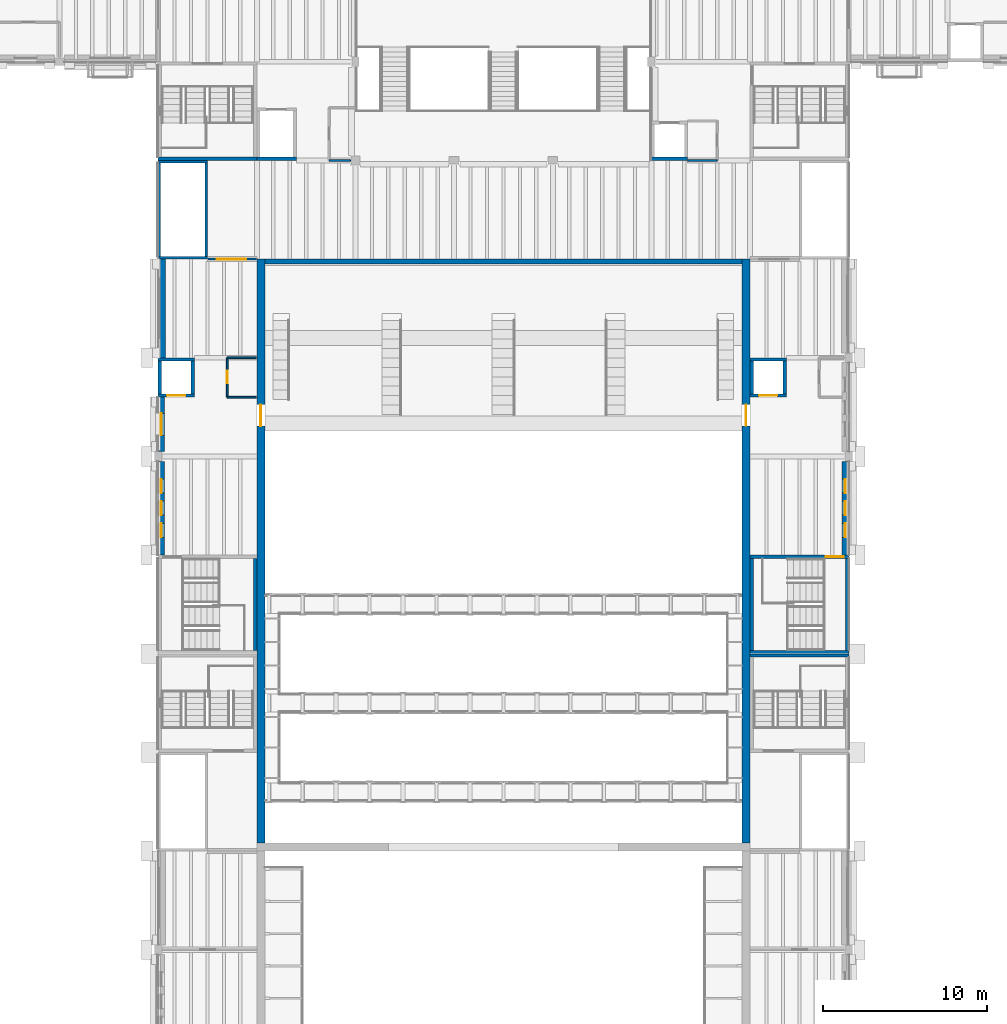
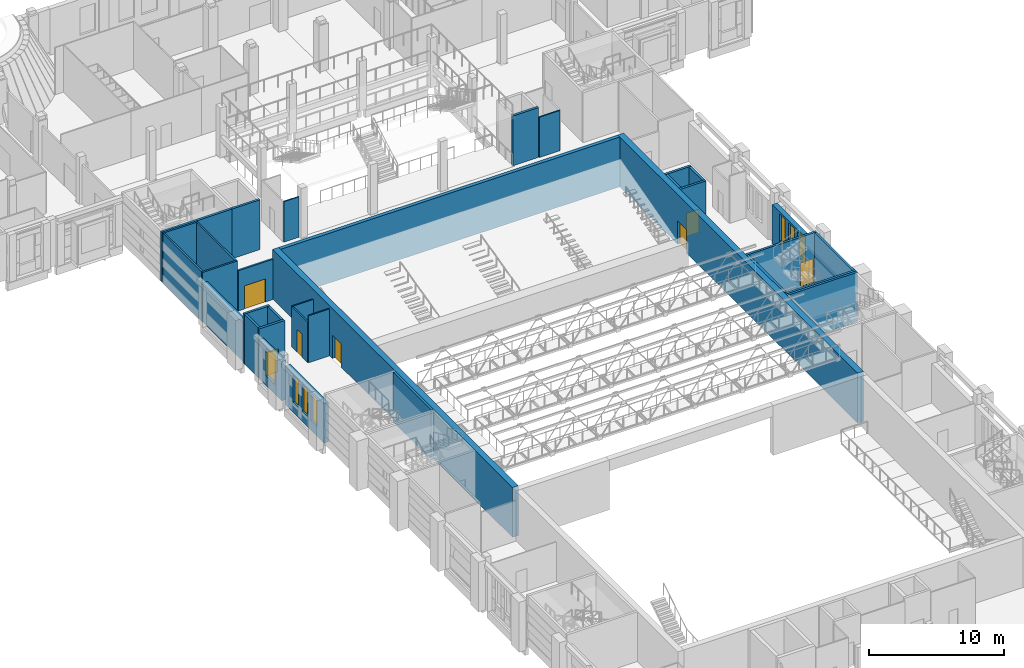
# One storey, part 29 of 70: 34 walls, 7 doors, 7 windows, 14 openings.
"""IFC4 building model written with IfcOpenShell, lengths in metres."""

from ifc_helpers import new_model, si_unit, direction, frame, frame_2d, origin, place, context, subcontext, project, spatial, rectangle, extrude, material, layer, layer_set, type_object, element, fill, save


model = new_model("IFC4")

# Units and contexts
model_context = context("Model", 3, precision=1e-05, world=origin(), true_north=direction((0.0, 1.0)))
body_context = subcontext(model_context, "Body", "Model", "MODEL_VIEW")
ifc_project = project(units=[si_unit("LENGTHUNIT", "METRE"), si_unit("AREAUNIT", "SQUARE_METRE"), si_unit("VOLUMEUNIT", "CUBIC_METRE"), si_unit("PLANEANGLEUNIT", "RADIAN"), si_unit("MASSUNIT", "GRAM", prefix="KILO")], contexts=[model_context])

# Site, building, storey
site_placement = place(None, origin())
site = spatial("IfcSite", under=ifc_project, at=site_placement, CompositionType="ELEMENT")
building_placement = place(site_placement, origin())
building = spatial("IfcBuilding", under=site, at=building_placement, Name="Saffron Lane Theatres", CompositionType="ELEMENT")
storey_placement = place(building_placement, frame((0.0, 0.0, 12.0)))
storey = spatial("IfcBuildingStorey", under=building, at=storey_placement, Name="L02", CompositionType="ELEMENT", Elevation=12.0)

# Wall, openings, windows
ifc_material_1 = material(Name="Masonry pale clay brick", Category="masonry")
ifc_layer_1 = layer(ifc_material_1, 0.11, Name="facing leaf")
ifc_material_2 = material(Name="Air cavity", Category="air")
ifc_layer_2 = layer(ifc_material_2, 0.05, ventilated=True, Name="cavity")
ifc_material_3 = material(Name="Mineral wool insulation")
ifc_layer_3 = layer(ifc_material_3, 0.06, Name="insulation")
ifc_material_4 = material(Name="Concrete N40 (40 MPa)", Category="concrete")
ifc_layer_4 = layer(ifc_material_4, 0.18, Name="inner leaf")
ifc_layer_set_1 = layer_set([ifc_layer_1, ifc_layer_2, ifc_layer_3, ifc_layer_4], Name="Masonry pale clay brick")
wall_type_1 = type_object("IfcWallType", Name="EX-WALL BRICK 400", PredefinedType="SOLIDWALL", material=ifc_layer_set_1)
wall_1_placement = place(storey_placement, frame((12.199951171875, 72.0, 0.0), z_axis=(0.0, 0.0, 1.0), x_axis=(0.0, 1.0, 0.0)))
wall_1 = element("IfcWall", 1, at=wall_1_placement, inside=storey, type_object=wall_type_1, Name="External wall L02 04", PredefinedType="SOLIDWALL", context=body_context, shape_type="SweptSolid", body=[
    extrude(rectangle(XDim=5.699951171875, YDim=0.39990234375, at=frame_2d((2.85009765625, 0.0))), origin(), (0.0, 0.0, 1.0), 3.550048828125),
])
opening_1_placement = place(wall_1_placement, frame((1.074951171875, 0.0, 0.89990234375)))
opening_1 = element("IfcOpeningElement", 2, at=opening_1_placement, cuts=wall_1, Name="Opening WN02-004", PredefinedType="OPENING", context=body_context, shape_type="SweptSolid", body=[
    extrude(rectangle(XDim=0.85009765625, YDim=2.449951171875, at=frame_2d((0.425048828125, 1.22509765625))), frame((0.0, 0.2099609375, 0.0), z_axis=(0.0, -1.0, 0.0), x_axis=(1.0, 0.0, 0.0)), (0.0, 0.0, 1.0), 0.419921875),
])
opening_2_placement = place(wall_1_placement, frame((2.425048828125, 0.0, 0.89990234375)))
opening_2 = element("IfcOpeningElement", 3, at=opening_2_placement, cuts=wall_1, Name="Opening WN02-005", PredefinedType="OPENING", context=body_context, shape_type="SweptSolid", body=[
    extrude(rectangle(XDim=0.85009765625, YDim=2.449951171875, at=frame_2d((0.425048828125, 1.22509765625))), frame((0.0, 0.2099609375, 0.0), z_axis=(0.0, -1.0, 0.0), x_axis=(1.0, 0.0, 0.0)), (0.0, 0.0, 1.0), 0.419921875),
])
opening_3_placement = place(wall_1_placement, frame((3.77490234375, 0.0, 0.89990234375)))
opening_3 = element("IfcOpeningElement", 4, at=opening_3_placement, cuts=wall_1, Name="Opening WN02-006", PredefinedType="OPENING", context=body_context, shape_type="SweptSolid", body=[
    extrude(rectangle(XDim=0.85009765625, YDim=2.449951171875, at=frame_2d((0.425048828125, 1.22509765625))), frame((0.0, 0.2099609375, 0.0), z_axis=(0.0, -1.0, 0.0), x_axis=(1.0, 0.0, 0.0)), (0.0, 0.0, 1.0), 0.419921875),
])
ifc_material_5 = material(Name="Aluminium", Category="aluminium")
window_type_1 = type_object("IfcWindowType", Name="EX-WINDOW 850x2450", PartitioningType="SINGLE_PANEL", PredefinedType="WINDOW", material=ifc_material_5)
window_1_placement = place(opening_1_placement, origin())
window_1 = element("IfcWindow", 5, at=window_1_placement, inside=storey, type_object=window_type_1, Name="Window L02 004", OverallHeight=2.449951171875, OverallWidth=0.85009765625, PartitioningType="SINGLE_PANEL", PredefinedType="WINDOW", context=body_context, shape_type="SweptSolid", body=[
    extrude(rectangle(XDim=0.85009765625, YDim=2.449951171875, at=frame_2d((0.425048828125, 1.22509765625))), frame((0.0, 0.030029296875, 0.0), z_axis=(0.0, -1.0, 0.0), x_axis=(1.0, 0.0, 0.0)), (0.0, 0.0, 1.0), 0.06005859375),
])
fill(opening_1, window_1)
window_2_placement = place(opening_2_placement, origin())
window_2 = element("IfcWindow", 6, at=window_2_placement, inside=storey, type_object=window_type_1, Name="Window L02 005", OverallHeight=2.449951171875, OverallWidth=0.85009765625, PartitioningType="SINGLE_PANEL", PredefinedType="WINDOW", context=body_context, shape_type="SweptSolid", body=[
    extrude(rectangle(XDim=0.85009765625, YDim=2.449951171875, at=frame_2d((0.425048828125, 1.22509765625))), frame((0.0, 0.030029296875, 0.0), z_axis=(0.0, -1.0, 0.0), x_axis=(1.0, 0.0, 0.0)), (0.0, 0.0, 1.0), 0.06005859375),
])
fill(opening_2, window_2)
window_3_placement = place(opening_3_placement, origin())
window_3 = element("IfcWindow", 7, at=window_3_placement, inside=storey, type_object=window_type_1, Name="Window L02 006", OverallHeight=2.449951171875, OverallWidth=0.85009765625, PartitioningType="SINGLE_PANEL", PredefinedType="WINDOW", context=body_context, shape_type="SweptSolid", body=[
    extrude(rectangle(XDim=0.85009765625, YDim=2.449951171875, at=frame_2d((0.425048828125, 1.22509765625))), frame((0.0, 0.030029296875, 0.0), z_axis=(0.0, -1.0, 0.0), x_axis=(1.0, 0.0, 0.0)), (0.0, 0.0, 1.0), 0.06005859375),
])
fill(opening_3, window_3)

# Wall, opening, window
wall_2_placement = place(storey_placement, frame((12.199951171875, 78.300048828125, 0.0), z_axis=(0.0, 0.0, 1.0), x_axis=(0.0, 1.0, 0.0)))
wall_2 = element("IfcWall", 8, at=wall_2_placement, inside=storey, type_object=wall_type_1, Name="External wall L02 05", PredefinedType="SOLIDWALL", context=body_context, shape_type="SweptSolid", body=[
    extrude(rectangle(XDim=3.300048828125, YDim=0.39990234375, at=frame_2d((1.64990234375, 0.0))), origin(), (0.0, 0.0, 1.0), 3.550048828125),
])
opening_4_placement = place(wall_2_placement, frame((0.97509765625, 0.0, 0.89990234375)))
opening_4 = element("IfcOpeningElement", 9, at=opening_4_placement, cuts=wall_2, Name="Opening WN02-007", PredefinedType="OPENING", context=body_context, shape_type="SweptSolid", body=[
    extrude(rectangle(XDim=1.35009765625, YDim=2.449951171875, at=frame_2d((0.675048828125, 1.22509765625))), frame((0.0, 0.2099609375, 0.0), z_axis=(0.0, -1.0, 0.0), x_axis=(1.0, 0.0, 0.0)), (0.0, 0.0, 1.0), 0.419921875),
])
ifc_material_6 = material(Name="Aluminium", Category="aluminium")
window_type_2 = type_object("IfcWindowType", Name="EX-WINDOW 1350x2450", PartitioningType="SINGLE_PANEL", PredefinedType="WINDOW", material=ifc_material_6)
window_4_placement = place(opening_4_placement, origin())
window_4 = element("IfcWindow", 10, at=window_4_placement, inside=storey, type_object=window_type_2, Name="Window L02 007", OverallHeight=2.449951171875, OverallWidth=1.35009765625, PartitioningType="SINGLE_PANEL", PredefinedType="WINDOW", context=body_context, shape_type="SweptSolid", body=[
    extrude(rectangle(XDim=1.35009765625, YDim=2.449951171875, at=frame_2d((0.675048828125, 1.22509765625))), frame((0.0, 0.030029296875, 0.0), z_axis=(0.0, -1.0, 0.0), x_axis=(1.0, 0.0, 0.0)), (0.0, 0.0, 1.0), 0.06005859375),
])
fill(opening_4, window_4)

# Wall
wall_3_placement = place(storey_placement, frame((12.25, 84.0, 0.0), z_axis=(0.0, 0.0, 1.0), x_axis=(0.0, 1.0, 0.0)))
element("IfcWall", 11, at=wall_3_placement, inside=storey, type_object=wall_type_1, Name="External wall L02 06", PredefinedType="SOLIDWALL", context=body_context, shape_type="SweptSolid", body=[
    extrude(rectangle(XDim=6.0, YDim=0.39990234375, at=frame_2d((3.0, 0.0))), origin(), (0.0, 0.0, 1.0), 3.550048828125),
])

# Wall, openings, windows
wall_4_placement = place(storey_placement, frame((53.800048828125, 77.699951171875, 0.0), z_axis=(0.0, 0.0, 1.0), x_axis=(0.0, -1.0, 0.0)))
wall_4 = element("IfcWall", 12, at=wall_4_placement, inside=storey, type_object=wall_type_1, Name="External wall L02 22", PredefinedType="SOLIDWALL", context=body_context, shape_type="SweptSolid", body=[
    extrude(rectangle(XDim=5.699951171875, YDim=0.39990234375, at=frame_2d((2.85009765625, 0.0))), origin(), (0.0, 0.0, 1.0), 3.550048828125),
])
opening_5_placement = place(wall_4_placement, frame((1.074951171875, 0.0, 0.89990234375)))
opening_5 = element("IfcOpeningElement", 13, at=opening_5_placement, cuts=wall_4, Name="Opening WN02-021", PredefinedType="OPENING", context=body_context, shape_type="SweptSolid", body=[
    extrude(rectangle(XDim=0.85009765625, YDim=2.449951171875, at=frame_2d((0.425048828125, 1.22509765625))), frame((0.0, 0.2099609375, 0.0), z_axis=(0.0, -1.0, 0.0), x_axis=(1.0, 0.0, 0.0)), (0.0, 0.0, 1.0), 0.419921875),
])
opening_6_placement = place(wall_4_placement, frame((2.425048828125, 0.0, 0.89990234375)))
opening_6 = element("IfcOpeningElement", 14, at=opening_6_placement, cuts=wall_4, Name="Opening WN02-022", PredefinedType="OPENING", context=body_context, shape_type="SweptSolid", body=[
    extrude(rectangle(XDim=0.85009765625, YDim=2.449951171875, at=frame_2d((0.425048828125, 1.22509765625))), frame((0.0, 0.2099609375, 0.0), z_axis=(0.0, -1.0, 0.0), x_axis=(1.0, 0.0, 0.0)), (0.0, 0.0, 1.0), 0.419921875),
])
opening_7_placement = place(wall_4_placement, frame((3.77490234375, 0.0, 0.89990234375)))
opening_7 = element("IfcOpeningElement", 15, at=opening_7_placement, cuts=wall_4, Name="Opening WN02-023", PredefinedType="OPENING", context=body_context, shape_type="SweptSolid", body=[
    extrude(rectangle(XDim=0.85009765625, YDim=2.449951171875, at=frame_2d((0.425048828125, 1.22509765625))), frame((0.0, 0.2099609375, 0.0), z_axis=(0.0, -1.0, 0.0), x_axis=(1.0, 0.0, 0.0)), (0.0, 0.0, 1.0), 0.419921875),
])
window_5_placement = place(opening_5_placement, origin())
window_5 = element("IfcWindow", 16, at=window_5_placement, inside=storey, type_object=window_type_1, Name="Window L02 021", OverallHeight=2.449951171875, OverallWidth=0.85009765625, PartitioningType="SINGLE_PANEL", PredefinedType="WINDOW", context=body_context, shape_type="SweptSolid", body=[
    extrude(rectangle(XDim=0.85009765625, YDim=2.449951171875, at=frame_2d((0.425048828125, 1.22509765625))), frame((0.0, 0.030029296875, 0.0), z_axis=(0.0, -1.0, 0.0), x_axis=(1.0, 0.0, 0.0)), (0.0, 0.0, 1.0), 0.06005859375),
])
fill(opening_5, window_5)
window_6_placement = place(opening_6_placement, origin())
window_6 = element("IfcWindow", 17, at=window_6_placement, inside=storey, type_object=window_type_1, Name="Window L02 022", OverallHeight=2.449951171875, OverallWidth=0.85009765625, PartitioningType="SINGLE_PANEL", PredefinedType="WINDOW", context=body_context, shape_type="SweptSolid", body=[
    extrude(rectangle(XDim=0.85009765625, YDim=2.449951171875, at=frame_2d((0.425048828125, 1.22509765625))), frame((0.0, 0.030029296875, 0.0), z_axis=(0.0, -1.0, 0.0), x_axis=(1.0, 0.0, 0.0)), (0.0, 0.0, 1.0), 0.06005859375),
])
fill(opening_6, window_6)
window_7_placement = place(opening_7_placement, origin())
window_7 = element("IfcWindow", 18, at=window_7_placement, inside=storey, type_object=window_type_1, Name="Window L02 023", OverallHeight=2.449951171875, OverallWidth=0.85009765625, PartitioningType="SINGLE_PANEL", PredefinedType="WINDOW", context=body_context, shape_type="SweptSolid", body=[
    extrude(rectangle(XDim=0.85009765625, YDim=2.449951171875, at=frame_2d((0.425048828125, 1.22509765625))), frame((0.0, 0.030029296875, 0.0), z_axis=(0.0, -1.0, 0.0), x_axis=(1.0, 0.0, 0.0)), (0.0, 0.0, 1.0), 0.06005859375),
])
fill(opening_7, window_7)

# Wall
ifc_material_7 = material(Name="Masonry block partition", Category="masonry")
ifc_layer_5 = layer(ifc_material_7, 0.110107421875)
ifc_layer_set_2 = layer_set([ifc_layer_5], Name="Masonry block partition")
wall_type_2 = type_object("IfcWallType", Name="IN-BLOCK PARTITION 110", PredefinedType="PARTITIONING", material=ifc_layer_set_2)
wall_5_placement = place(storey_placement, frame((16.199951171875, 84.0, 0.0), z_axis=(0.0, 0.0, 1.0), x_axis=(1.0, 0.0, 0.0)))
element("IfcWall", 19, at=wall_5_placement, inside=storey, type_object=wall_type_2, Name="PW-L02-003", PredefinedType="PARTITIONING", context=body_context, shape_type="SweptSolid", body=[
    extrude(rectangle(XDim=1.780029296875, YDim=0.110107421875, at=frame_2d((0.89013671875, 0.0))), origin(), (0.0, 0.0, 1.0), 3.64990234375),
])

# Wall, opening, door
wall_6_placement = place(storey_placement, frame((16.199951171875, 81.60009765625, 0.0), z_axis=(0.0, 0.0, 1.0), x_axis=(0.0, 1.0, 0.0)))
wall_6 = element("IfcWall", 20, at=wall_6_placement, inside=storey, type_object=wall_type_2, Name="PW-L02-004", PredefinedType="PARTITIONING", context=body_context, shape_type="SweptSolid", body=[
    extrude(rectangle(XDim=2.39990234375, YDim=0.110107421875, at=frame_2d((1.199951171875, 0.0))), origin(), (0.0, 0.0, 1.0), 3.64990234375),
])
opening_8_placement = place(wall_6_placement, frame((0.85009765625, 0.0, 0.0)))
opening_8 = element("IfcOpeningElement", 21, at=opening_8_placement, cuts=wall_6, Name="Opening D02-35", PredefinedType="OPENING", context=body_context, shape_type="SweptSolid", body=[
    extrude(rectangle(XDim=0.75, YDim=2.0400390625, at=frame_2d((0.375, 1.02001953125))), frame((0.0, 0.06494140625, 0.0), z_axis=(0.0, -1.0, 0.0), x_axis=(1.0, 0.0, 0.0)), (0.0, 0.0, 1.0), 0.130126953125),
])
ifc_material_8 = material(Name="Steel faced fire door leaf", Category="steel")
door_type_1 = type_object("IfcDoorType", Name="IN-DOOR 750x2040 FD60", OperationType="NOTDEFINED", PredefinedType="DOOR", material=ifc_material_8)
door_1_placement = place(opening_8_placement, frame((0.75, 0.0, 0.0), z_axis=(0.0, 0.0, 1.0), x_axis=(-1.0, 0.0, 0.0)))
door_1 = element("IfcDoor", 22, at=door_1_placement, inside=storey, type_object=door_type_1, Name="D02-35", OperationType="SINGLE_SWING_RIGHT", OverallHeight=2.0400390625, OverallWidth=0.75, PredefinedType="DOOR", context=body_context, shape_type="SweptSolid", body=[
    extrude(rectangle(XDim=0.75, YDim=2.0400390625, at=frame_2d((0.375, 1.02001953125))), frame((0.0, 0.02490234375, 0.0), z_axis=(0.0, -1.0, 0.0), x_axis=(1.0, 0.0, 0.0)), (0.0, 0.0, 1.0), 0.050048828125),
])
fill(opening_8, door_1)

# Walls
wall_7_placement = place(storey_placement, frame((16.199951171875, 81.60009765625, 0.0), z_axis=(0.0, 0.0, 1.0), x_axis=(1.0, 0.0, 0.0)))
element("IfcWall", 23, at=wall_7_placement, inside=storey, type_object=wall_type_2, Name="PW-L02-005", PredefinedType="PARTITIONING", context=body_context, shape_type="SweptSolid", body=[
    extrude(rectangle(XDim=1.780029296875, YDim=0.110107421875, at=frame_2d((0.89013671875, 0.0))), origin(), (0.0, 0.0, 1.0), 4.25),
])
wall_8_placement = place(storey_placement, frame((22.39990234375, 96.0, 0.0), z_axis=(0.0, 0.0, 1.0), x_axis=(1.0, 0.0, 0.0)))
element("IfcWall", 24, at=wall_8_placement, inside=storey, type_object=wall_type_2, Name="PW-L02-008", PredefinedType="PARTITIONING", context=body_context, shape_type="SweptSolid", body=[
    extrude(rectangle(XDim=1.30517578125, YDim=0.110107421875, at=frame_2d((0.652587890625, 0.0))), origin(), (0.0, 0.0, 1.0), 3.64990234375),
])
wall_9_placement = place(storey_placement, frame((44.219970703125, 96.0, 0.0), z_axis=(0.0, 0.0, 1.0), x_axis=(1.0, 0.0, 0.0)))
element("IfcWall", 25, at=wall_9_placement, inside=storey, type_object=wall_type_2, Name="PW-L02-009", PredefinedType="PARTITIONING", context=body_context, shape_type="SweptSolid", body=[
    extrude(rectangle(XDim=1.780029296875, YDim=0.110107421875, at=frame_2d((0.89013671875, 0.0))), origin(), (0.0, 0.0, 1.0), 3.64990234375),
])

# Wall, opening, door
ifc_material_9 = material(Name="Masonry block partition", Category="masonry")
ifc_layer_6 = layer(ifc_material_9, 0.139892578125)
ifc_layer_set_3 = layer_set([ifc_layer_6], Name="Masonry block partition")
wall_type_3 = type_object("IfcWallType", Name="IN-BLOCK PARTITION 140", PredefinedType="PARTITIONING", material=ifc_layer_set_3)
wall_10_placement = place(storey_placement, frame((15.02001953125, 90.0, 0.0), z_axis=(0.0, 0.0, 1.0), x_axis=(1.0, 0.0, 0.0)))
wall_10 = element("IfcWall", 26, at=wall_10_placement, inside=storey, type_object=wall_type_3, Name="PW-L02-042", PredefinedType="PARTITIONING", context=body_context, shape_type="SweptSolid", body=[
    extrude(rectangle(XDim=2.9599609375, YDim=0.139892578125, at=frame_2d((1.47998046875, 0.0))), origin(), (0.0, 0.0, 1.0), 3.64990234375),
])
opening_9_placement = place(wall_10_placement, frame((0.530029296875, 0.0, 0.0)))
opening_9 = element("IfcOpeningElement", 27, at=opening_9_placement, cuts=wall_10, Name="Opening D02-48", PredefinedType="OPENING", context=body_context, shape_type="SweptSolid", body=[
    extrude(rectangle(XDim=1.800048828125, YDim=2.10009765625, at=frame_2d((0.89990234375, 1.050048828125))), frame((0.0, 0.080078125, 0.0), z_axis=(0.0, -1.0, 0.0), x_axis=(1.0, 0.0, 0.0)), (0.0, 0.0, 1.0), 0.159912109375),
])
ifc_material_10 = material(Name="Steel faced fire door leaf", Category="steel")
door_type_2 = type_object("IfcDoorType", Name="IN-DOOR 1800x2100 FD120", OperationType="DOUBLE_DOOR_SINGLE_SWING", PredefinedType="DOOR", material=ifc_material_10)
door_2_placement = place(opening_9_placement, frame((1.800048828125, 0.0, 0.0), z_axis=(0.0, 0.0, 1.0), x_axis=(-1.0, 0.0, 0.0)))
door_2 = element("IfcDoor", 28, at=door_2_placement, inside=storey, type_object=door_type_2, Name="D02-48", OperationType="DOUBLE_DOOR_SINGLE_SWING", OverallHeight=2.10009765625, OverallWidth=1.800048828125, PredefinedType="DOOR", context=body_context, shape_type="SweptSolid", body=[
    extrude(rectangle(XDim=1.800048828125, YDim=2.10009765625, at=frame_2d((0.89990234375, 1.050048828125))), frame((0.0, 0.02490234375, 0.0), z_axis=(0.0, -1.0, 0.0), x_axis=(1.0, 0.0, 0.0)), (0.0, 0.0, 1.0), 0.050048828125),
])
fill(opening_9, door_2)

# Walls
ifc_material_11 = material(Name="Concrete N50 (50 MPa)", Category="concrete")
ifc_layer_7 = layer(ifc_material_11, 0.14990234375)
ifc_layer_set_4 = layer_set([ifc_layer_7], Name="Concrete N50 (50 MPa)")
wall_type_4 = type_object("IfcWallType", Name="RC-CORE 150", PredefinedType="SHEAR", material=ifc_layer_set_4)
for number, where, z_axis, x_axis, name in (
    (29, (12.0, 95.925048828125, 0.0), (0.0, 0.0, 1.0), (1.0, 0.0, 0.0), "W-R1-N-L02"),
    (30, (12.0, 90.074951171875, 0.0), (0.0, 0.0, 1.0), (1.0, 0.0, 0.0), "W-R1-S-L02"),
):
    element("IfcWall", number, at=place(storey_placement, frame(where, z_axis=z_axis, x_axis=x_axis)), inside=storey, type_object=wall_type_4, Name=name, PredefinedType="SHEAR", context=body_context, shape_type="SweptSolid", body=[
        extrude(rectangle(XDim=3.0, YDim=0.14990234375, at=frame_2d((1.5, 0.0))), origin(), (0.0, 0.0, 1.0), 4.5),
    ])
wall_11_placement = place(storey_placement, frame((14.925048828125, 90.14990234375, 0.0), z_axis=(0.0, 0.0, 1.0), x_axis=(0.0, 1.0, 0.0)))
element("IfcWall", 31, at=wall_11_placement, inside=storey, type_object=wall_type_4, Name="W-R1-E-L02", PredefinedType="SHEAR", context=body_context, shape_type="SweptSolid", body=[
    extrude(rectangle(XDim=5.7001953125, YDim=0.14990234375, at=frame_2d((2.85009765625, 0.0))), origin(), (0.0, 0.0, 1.0), 4.5),
])
ifc_material_12 = material(Name="Concrete N50 (50 MPa)", Category="concrete")
ifc_layer_8 = layer(ifc_material_12, 0.199951171875)
ifc_layer_set_5 = layer_set([ifc_layer_8], Name="Concrete N50 (50 MPa)")
wall_type_5 = type_object("IfcWallType", Name="RC-CORE 200", PredefinedType="SHEAR", material=ifc_layer_set_5)
wall_12_placement = place(storey_placement, frame((12.0, 96.10009765625, 0.0), z_axis=(0.0, 0.0, 1.0), x_axis=(1.0, 0.0, 0.0)))
element("IfcWall", 32, at=wall_12_placement, inside=storey, type_object=wall_type_5, Name="W-ST1-S-L02", PredefinedType="SHEAR", context=body_context, shape_type="SweptSolid", body=[
    extrude(rectangle(XDim=6.0, YDim=0.199951171875, at=frame_2d((3.0, 0.0))), origin(), (0.0, 0.0, 1.0), 4.5),
])
wall_13_placement = place(storey_placement, frame((17.89990234375, 66.199951171875, 0.0), z_axis=(0.0, 0.0, 1.0), x_axis=(0.0, 1.0, 0.0)))
element("IfcWall", 33, at=wall_13_placement, inside=storey, type_object=wall_type_5, Name="W-ST3-E-L02", PredefinedType="SHEAR", context=body_context, shape_type="SweptSolid", body=[
    extrude(rectangle(XDim=5.60009765625, YDim=0.199951171875, at=frame_2d((2.800048828125, 0.0))), origin(), (0.0, 0.0, 1.0), 4.5),
])

# Wall, opening, door
wall_14_placement = place(storey_placement, frame((48.0, 71.89990234375, 0.0), z_axis=(0.0, 0.0, 1.0), x_axis=(1.0, 0.0, 0.0)))
wall_14 = element("IfcWall", 34, at=wall_14_placement, inside=storey, type_object=wall_type_5, Name="W-ST4-N-L02", PredefinedType="SHEAR", context=body_context, shape_type="SweptSolid", body=[
    extrude(rectangle(XDim=6.0, YDim=0.199951171875, at=frame_2d((3.0, 0.0))), origin(), (0.0, 0.0, 1.0), 4.5),
])
opening_10_placement = place(wall_14_placement, frame((4.60009765625, 0.0, 0.0)))
opening_10 = element("IfcOpeningElement", 35, at=opening_10_placement, cuts=wall_14, Name="Opening D02-19", PredefinedType="OPENING", context=body_context, shape_type="SweptSolid", body=[
    extrude(rectangle(XDim=1.10009765625, YDim=2.199951171875, at=frame_2d((0.550048828125, 1.10009765625))), frame((0.0, 0.10986328125, 0.0), z_axis=(0.0, -1.0, 0.0), x_axis=(1.0, 0.0, 0.0)), (0.0, 0.0, 1.0), 0.219970703125),
])
ifc_material_13 = material(Name="Steel faced fire door leaf", Category="steel")
door_type_3 = type_object("IfcDoorType", Name="IN-DOOR 1100x2200 FD120", OperationType="NOTDEFINED", PredefinedType="DOOR", material=ifc_material_13)
door_3_placement = place(opening_10_placement, frame((1.10009765625, 0.0, 0.0), z_axis=(0.0, 0.0, 1.0), x_axis=(-1.0, 0.0, 0.0)))
door_3 = element("IfcDoor", 36, at=door_3_placement, inside=storey, type_object=door_type_3, Name="D02-19", OperationType="SINGLE_SWING_RIGHT", OverallHeight=2.199951171875, OverallWidth=1.10009765625, PredefinedType="DOOR", context=body_context, shape_type="SweptSolid", body=[
    extrude(rectangle(XDim=1.10009765625, YDim=2.199951171875, at=frame_2d((0.550048828125, 1.10009765625))), frame((0.0, 0.02490234375, 0.0), z_axis=(0.0, -1.0, 0.0), x_axis=(1.0, 0.0, 0.0)), (0.0, 0.0, 1.0), 0.050048828125),
])
fill(opening_10, door_3)

# Walls
wall_15_placement = place(storey_placement, frame((48.0, 66.10009765625, 0.0), z_axis=(0.0, 0.0, 1.0), x_axis=(1.0, 0.0, 0.0)))
element("IfcWall", 37, at=wall_15_placement, inside=storey, type_object=wall_type_5, Name="W-ST4-S-L02", PredefinedType="SHEAR", context=body_context, shape_type="SweptSolid", body=[
    extrude(rectangle(XDim=6.0, YDim=0.199951171875, at=frame_2d((3.0, 0.0))), origin(), (0.0, 0.0, 1.0), 4.5),
])
wall_16_placement = place(storey_placement, frame((48.10009765625, 66.199951171875, 0.0), z_axis=(0.0, 0.0, 1.0), x_axis=(0.0, 1.0, 0.0)))
element("IfcWall", 38, at=wall_16_placement, inside=storey, type_object=wall_type_5, Name="W-ST4-W-L02", PredefinedType="SHEAR", context=body_context, shape_type="SweptSolid", body=[
    extrude(rectangle(XDim=5.60009765625, YDim=0.199951171875, at=frame_2d((2.800048828125, 0.0))), origin(), (0.0, 0.0, 1.0), 4.5),
])
wall_17_placement = place(storey_placement, frame((48.0, 65.89990234375, 0.0), z_axis=(0.0, 0.0, 1.0), x_axis=(1.0, 0.0, 0.0)))
element("IfcWall", 39, at=wall_17_placement, inside=storey, type_object=wall_type_5, Name="W-ST11-N-L02", PredefinedType="SHEAR", context=body_context, shape_type="SweptSolid", body=[
    extrude(rectangle(XDim=6.0, YDim=0.199951171875, at=frame_2d((3.0, 0.0))), origin(), (0.0, 0.0, 1.0), 4.5),
])
wall_18_placement = place(storey_placement, frame((18.0, 96.10009765625, 0.0), z_axis=(0.0, 0.0, 1.0), x_axis=(1.0, 0.0, 0.0)))
element("IfcWall", 40, at=wall_18_placement, inside=storey, type_object=wall_type_5, Name="W-LC1-S-L02", PredefinedType="SHEAR", context=body_context, shape_type="SweptSolid", body=[
    extrude(rectangle(XDim=2.39990234375, YDim=0.199951171875, at=frame_2d((1.199951171875, 0.0))), origin(), (0.0, 0.0, 1.0), 4.5),
])
for number, where, z_axis, x_axis, name in (
    (41, (42.0, 96.10009765625, 0.0), (0.0, 0.0, 1.0), (1.0, 0.0, 0.0), "W-LC2-S-L02"),
    (42, (12.0, 83.89990234375, 0.0), (0.0, 0.0, 1.0), (1.0, 0.0, 0.0), "W-LC3-N-L02"),
):
    element("IfcWall", number, at=place(storey_placement, frame(where, z_axis=z_axis, x_axis=x_axis)), inside=storey, type_object=wall_type_5, Name=name, PredefinedType="SHEAR", context=body_context, shape_type="SweptSolid", body=[
        extrude(rectangle(XDim=2.199951171875, YDim=0.199951171875, at=frame_2d((1.10009765625, 0.0))), origin(), (0.0, 0.0, 1.0), 4.5),
    ])

# Wall, opening, door
wall_19_placement = place(storey_placement, frame((12.0, 81.699951171875, 0.0), z_axis=(0.0, 0.0, 1.0), x_axis=(1.0, 0.0, 0.0)))
wall_19 = element("IfcWall", 43, at=wall_19_placement, inside=storey, type_object=wall_type_5, Name="W-LC3-S-L02", PredefinedType="SHEAR", context=body_context, shape_type="SweptSolid", body=[
    extrude(rectangle(XDim=2.199951171875, YDim=0.199951171875, at=frame_2d((1.10009765625, 0.0))), origin(), (0.0, 0.0, 1.0), 4.5),
])
opening_11_placement = place(wall_19_placement, frame((0.550048828125, 0.0, 0.0)))
opening_11 = element("IfcOpeningElement", 44, at=opening_11_placement, cuts=wall_19, Name="Opening LD11", PredefinedType="OPENING", context=body_context, shape_type="SweptSolid", body=[
    extrude(rectangle(XDim=1.10009765625, YDim=2.10009765625, at=frame_2d((0.550048828125, 1.050048828125))), frame((0.0, 0.10986328125, 0.0), z_axis=(0.0, -1.0, 0.0), x_axis=(1.0, 0.0, 0.0)), (0.0, 0.0, 1.0), 0.219970703125),
])
ifc_material_14 = material(Name="Stainless steel 316", Category="steel")
door_type_4 = type_object("IfcDoorType", Name="VC-LANDING DOOR 1100x2100", OperationType="DOUBLE_DOOR_SLIDING", PredefinedType="DOOR", material=ifc_material_14)
door_4_placement = place(opening_11_placement, origin())
door_4 = element("IfcDoor", 45, at=door_4_placement, inside=storey, type_object=door_type_4, Name="Landing doors LC3 L02", OperationType="DOUBLE_DOOR_SLIDING", OverallHeight=2.10009765625, OverallWidth=1.10009765625, PredefinedType="DOOR", context=body_context, shape_type="SweptSolid", body=[
    extrude(rectangle(XDim=1.10009765625, YDim=2.10009765625, at=frame_2d((0.550048828125, 1.050048828125))), frame((0.0, 0.02490234375, 0.0), z_axis=(0.0, -1.0, 0.0), x_axis=(1.0, 0.0, 0.0)), (0.0, 0.0, 1.0), 0.050048828125),
])
fill(opening_11, door_4)

# Walls
wall_20_placement = place(storey_placement, frame((14.10009765625, 81.800048828125, 0.0), z_axis=(0.0, 0.0, 1.0), x_axis=(0.0, 1.0, 0.0)))
element("IfcWall", 46, at=wall_20_placement, inside=storey, type_object=wall_type_5, Name="W-LC3-E-L02", PredefinedType="SHEAR", context=body_context, shape_type="SweptSolid", body=[
    extrude(rectangle(XDim=2.0, YDim=0.199951171875, at=frame_2d((1.0, 0.0))), origin(), (0.0, 0.0, 1.0), 4.5),
])
wall_21_placement = place(storey_placement, frame((48.0, 83.89990234375, 0.0), z_axis=(0.0, 0.0, 1.0), x_axis=(1.0, 0.0, 0.0)))
element("IfcWall", 47, at=wall_21_placement, inside=storey, type_object=wall_type_5, Name="W-LC4-N-L02", PredefinedType="SHEAR", context=body_context, shape_type="SweptSolid", body=[
    extrude(rectangle(XDim=2.199951171875, YDim=0.199951171875, at=frame_2d((1.10009765625, 0.0))), origin(), (0.0, 0.0, 1.0), 4.5),
])

# Wall, opening, door
wall_22_placement = place(storey_placement, frame((48.0, 81.699951171875, 0.0), z_axis=(0.0, 0.0, 1.0), x_axis=(1.0, 0.0, 0.0)))
wall_22 = element("IfcWall", 48, at=wall_22_placement, inside=storey, type_object=wall_type_5, Name="W-LC4-S-L02", PredefinedType="SHEAR", context=body_context, shape_type="SweptSolid", body=[
    extrude(rectangle(XDim=2.199951171875, YDim=0.199951171875, at=frame_2d((1.10009765625, 0.0))), origin(), (0.0, 0.0, 1.0), 4.5),
])
opening_12_placement = place(wall_22_placement, frame((0.550048828125, 0.0, 0.0)))
opening_12 = element("IfcOpeningElement", 49, at=opening_12_placement, cuts=wall_22, Name="Opening LD15", PredefinedType="OPENING", context=body_context, shape_type="SweptSolid", body=[
    extrude(rectangle(XDim=1.10009765625, YDim=2.10009765625, at=frame_2d((0.550048828125, 1.050048828125))), frame((0.0, 0.10986328125, 0.0), z_axis=(0.0, -1.0, 0.0), x_axis=(1.0, 0.0, 0.0)), (0.0, 0.0, 1.0), 0.219970703125),
])
door_5_placement = place(opening_12_placement, origin())
door_5 = element("IfcDoor", 50, at=door_5_placement, inside=storey, type_object=door_type_4, Name="Landing doors LC4 L02", OperationType="DOUBLE_DOOR_SLIDING", OverallHeight=2.10009765625, OverallWidth=1.10009765625, PredefinedType="DOOR", context=body_context, shape_type="SweptSolid", body=[
    extrude(rectangle(XDim=1.10009765625, YDim=2.10009765625, at=frame_2d((0.550048828125, 1.050048828125))), frame((0.0, 0.02490234375, 0.0), z_axis=(0.0, -1.0, 0.0), x_axis=(1.0, 0.0, 0.0)), (0.0, 0.0, 1.0), 0.050048828125),
])
fill(opening_12, door_5)

# Walls
for number, where, z_axis, x_axis, name in (
    (51, (48.10009765625, 81.800048828125, 0.0), (0.0, 0.0, 1.0), (0.0, 1.0, 0.0), "W-LC4-W-L02"),
    (52, (50.10009765625, 81.800048828125, 0.0), (0.0, 0.0, 1.0), (0.0, 1.0, 0.0), "W-LC4-E-L02"),
):
    element("IfcWall", number, at=place(storey_placement, frame(where, z_axis=z_axis, x_axis=x_axis)), inside=storey, type_object=wall_type_5, Name=name, PredefinedType="SHEAR", context=body_context, shape_type="SweptSolid", body=[
        extrude(rectangle(XDim=2.0, YDim=0.199951171875, at=frame_2d((1.0, 0.0))), origin(), (0.0, 0.0, 1.0), 4.5),
    ])
ifc_material_15 = material(Name="Concrete N50 (50 MPa)", Category="concrete")
ifc_layer_9 = layer(ifc_material_15, 0.14990234375)
ifc_layer_set_6 = layer_set([ifc_layer_9], Name="Concrete N50 (50 MPa)")
wall_type_6 = type_object("IfcWallType", Name="RC-CORE EXTERNAL 150", PredefinedType="SHEAR", material=ifc_layer_set_6)
wall_23_placement = place(storey_placement, frame((12.074951171875, 90.14990234375, 0.0), z_axis=(0.0, 0.0, 1.0), x_axis=(0.0, 1.0, 0.0)))
element("IfcWall", 53, at=wall_23_placement, inside=storey, type_object=wall_type_6, Name="W-R1-W-L02", PredefinedType="SHEAR", context=body_context, shape_type="SweptSolid", body=[
    extrude(rectangle(XDim=5.7001953125, YDim=0.14990234375, at=frame_2d((2.85009765625, 0.0))), origin(), (0.0, 0.0, 1.0), 4.5),
])
ifc_material_16 = material(Name="Concrete N50 (50 MPa)", Category="concrete")
ifc_layer_10 = layer(ifc_material_16, 0.199951171875)
ifc_layer_set_7 = layer_set([ifc_layer_10], Name="Concrete N50 (50 MPa)")
wall_type_7 = type_object("IfcWallType", Name="RC-CORE EXTERNAL 200", PredefinedType="SHEAR", material=ifc_layer_set_7)
wall_24_placement = place(storey_placement, frame((53.89990234375, 66.199951171875, 0.0), z_axis=(0.0, 0.0, 1.0), x_axis=(0.0, 1.0, 0.0)))
element("IfcWall", 54, at=wall_24_placement, inside=storey, type_object=wall_type_7, Name="W-ST4-E-L02", PredefinedType="SHEAR", context=body_context, shape_type="SweptSolid", body=[
    extrude(rectangle(XDim=5.60009765625, YDim=0.199951171875, at=frame_2d((2.800048828125, 0.0))), origin(), (0.0, 0.0, 1.0), 4.5),
])
wall_25_placement = place(storey_placement, frame((12.10009765625, 81.800048828125, 0.0), z_axis=(0.0, 0.0, 1.0), x_axis=(0.0, 1.0, 0.0)))
element("IfcWall", 55, at=wall_25_placement, inside=storey, type_object=wall_type_7, Name="W-LC3-W-L02", PredefinedType="SHEAR", context=body_context, shape_type="SweptSolid", body=[
    extrude(rectangle(XDim=2.0, YDim=0.199951171875, at=frame_2d((1.0, 0.0))), origin(), (0.0, 0.0, 1.0), 4.5),
])
ifc_material_17 = material(Name="Concrete N50 (50 MPa)", Category="concrete")
ifc_layer_11 = layer(ifc_material_17, 0.39990234375)
ifc_layer_set_8 = layer_set([ifc_layer_11], Name="Concrete N50 (50 MPa)")
wall_type_8 = type_object("IfcWallType", Name="RC-WALL 400", PredefinedType="SHEAR", material=ifc_layer_set_8)
wall_26_placement = place(storey_placement, frame((18.5, 89.85009765625, 0.0), z_axis=(0.0, 0.0, 1.0), x_axis=(1.0, 0.0, 0.0)))
element("IfcWall", 56, at=wall_26_placement, inside=storey, type_object=wall_type_8, Name="W-REAR-L02", PredefinedType="SHEAR", context=body_context, shape_type="SweptSolid", body=[
    extrude(rectangle(XDim=29.0, YDim=0.300048828125, at=frame_2d((14.5, 0.0))), origin(), (0.0, 0.0, 1.0), 4.5),
])

# Wall, opening, door
ifc_material_18 = material(Name="Concrete N50 (50 MPa)", Category="concrete")
ifc_layer_12 = layer(ifc_material_18, 0.5)
ifc_layer_set_9 = layer_set([ifc_layer_12], Name="Concrete N50 (50 MPa)")
wall_type_9 = type_object("IfcWallType", Name="RC-WALL 500", PredefinedType="SHEAR", material=ifc_layer_set_9)
wall_27_placement = place(storey_placement, frame((18.25, 54.5, 0.0), z_axis=(0.0, 0.0, 1.0), x_axis=(0.0, 1.0, 0.0)))
wall_27 = element("IfcWall", 57, at=wall_27_placement, inside=storey, type_object=wall_type_9, Name="W-AUDS-W-L02", PredefinedType="SHEAR", context=body_context, shape_type="SweptSolid", body=[
    extrude(rectangle(XDim=35.5, YDim=0.5, at=frame_2d((17.75, 0.0))), origin(), (0.0, 0.0, 1.0), 4.5),
])
opening_13_placement = place(wall_27_placement, frame((25.35009765625, 0.0, 0.0)))
opening_13 = element("IfcOpeningElement", 58, at=opening_13_placement, cuts=wall_27, Name="Opening D02-42", PredefinedType="OPENING", context=body_context, shape_type="SweptSolid", body=[
    extrude(rectangle(XDim=1.300048828125, YDim=2.10009765625, at=frame_2d((0.64990234375, 1.050048828125))), frame((0.0, 0.260009765625, 0.0), z_axis=(0.0, -1.0, 0.0), x_axis=(1.0, 0.0, 0.0)), (0.0, 0.0, 1.0), 0.52001953125),
])
ifc_material_19 = material(Name="Steel faced fire door leaf", Category="steel")
door_type_5 = type_object("IfcDoorType", Name="IN-DOOR 1300x2100 FD120", OperationType="NOTDEFINED", PredefinedType="DOOR", material=ifc_material_19)
door_6_placement = place(opening_13_placement, origin())
door_6 = element("IfcDoor", 59, at=door_6_placement, inside=storey, type_object=door_type_5, Name="D02-42", OperationType="SINGLE_SWING_LEFT", OverallHeight=2.10009765625, OverallWidth=1.300048828125, PredefinedType="DOOR", context=body_context, shape_type="SweptSolid", body=[
    extrude(rectangle(XDim=1.300048828125, YDim=2.10009765625, at=frame_2d((0.64990234375, 1.050048828125))), frame((0.0, 0.02490234375, 0.0), z_axis=(0.0, -1.0, 0.0), x_axis=(1.0, 0.0, 0.0)), (0.0, 0.0, 1.0), 0.050048828125),
])
fill(opening_13, door_6)

wall_28_placement = place(storey_placement, frame((47.75, 54.5, 0.0), z_axis=(0.0, 0.0, 1.0), x_axis=(0.0, 1.0, 0.0)))
wall_28 = element("IfcWall", 60, at=wall_28_placement, inside=storey, type_object=wall_type_9, Name="W-AUDS-E-L02", PredefinedType="SHEAR", context=body_context, shape_type="SweptSolid", body=[
    extrude(rectangle(XDim=35.5, YDim=0.5, at=frame_2d((17.75, 0.0))), origin(), (0.0, 0.0, 1.0), 4.5),
])
opening_14_placement = place(wall_28_placement, frame((25.35009765625, 0.0, 0.0)))
opening_14 = element("IfcOpeningElement", 61, at=opening_14_placement, cuts=wall_28, Name="Opening D02-43", PredefinedType="OPENING", context=body_context, shape_type="SweptSolid", body=[
    extrude(rectangle(XDim=1.300048828125, YDim=2.10009765625, at=frame_2d((0.64990234375, 1.050048828125))), frame((0.0, 0.260009765625, 0.0), z_axis=(0.0, -1.0, 0.0), x_axis=(1.0, 0.0, 0.0)), (0.0, 0.0, 1.0), 0.52001953125),
])
door_7_placement = place(opening_14_placement, frame((1.300048828125, 0.0, 0.0), z_axis=(0.0, 0.0, 1.0), x_axis=(-1.0, 0.0, 0.0)))
door_7 = element("IfcDoor", 62, at=door_7_placement, inside=storey, type_object=door_type_5, Name="D02-43", OperationType="SINGLE_SWING_RIGHT", OverallHeight=2.10009765625, OverallWidth=1.300048828125, PredefinedType="DOOR", context=body_context, shape_type="SweptSolid", body=[
    extrude(rectangle(XDim=1.300048828125, YDim=2.10009765625, at=frame_2d((0.64990234375, 1.050048828125))), frame((0.0, 0.02490234375, 0.0), z_axis=(0.0, -1.0, 0.0), x_axis=(1.0, 0.0, 0.0)), (0.0, 0.0, 1.0), 0.050048828125),
])
fill(opening_14, door_7)

save(model, "model.ifc")
